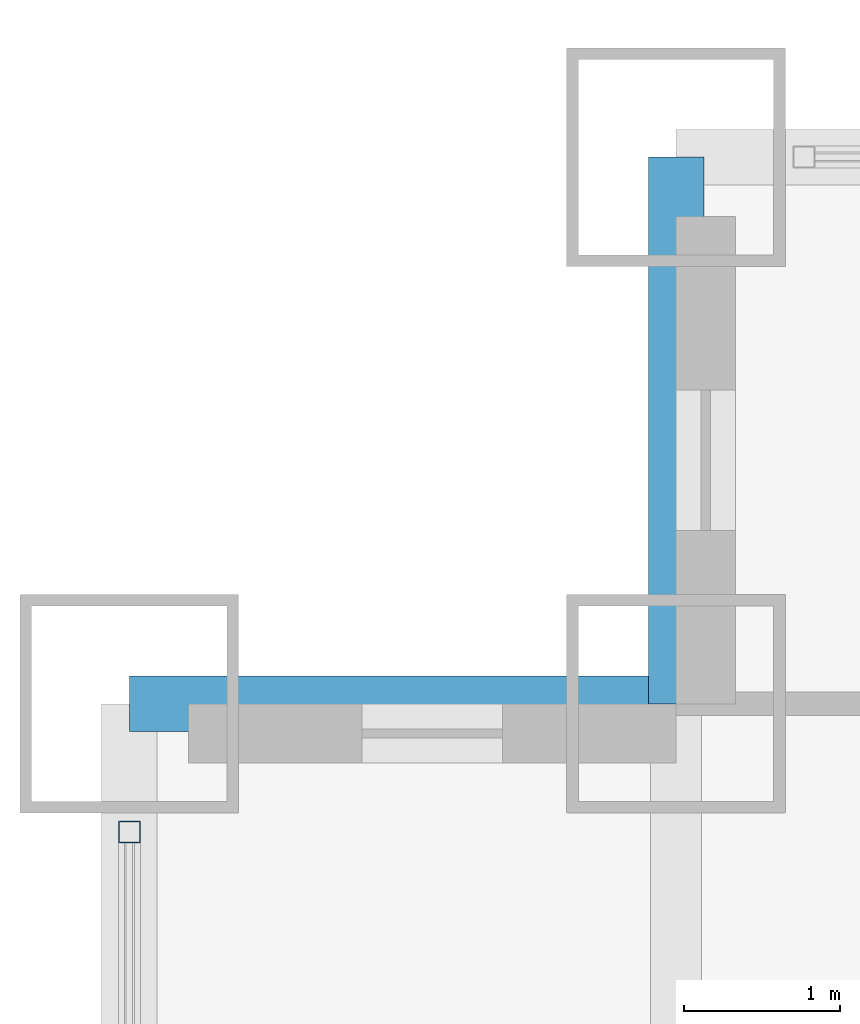
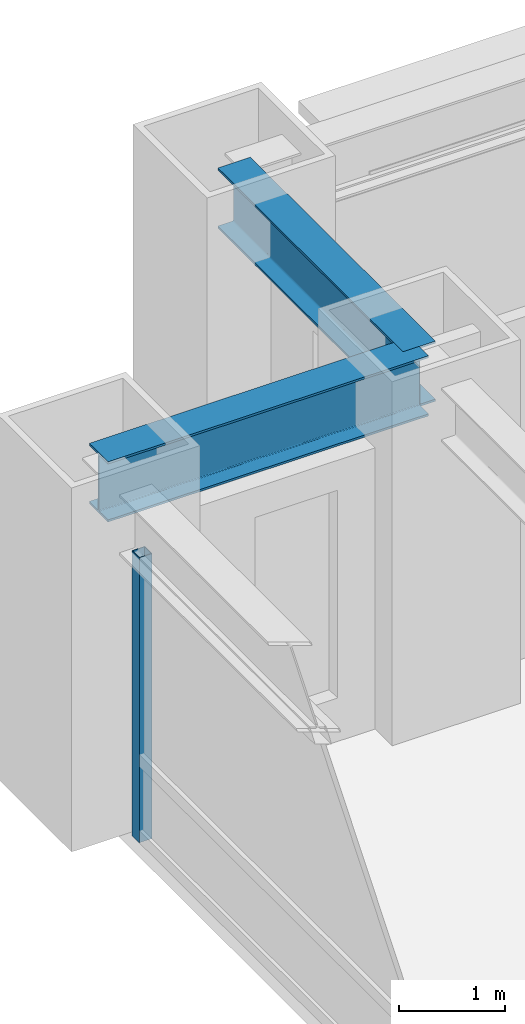
# One storey, part 14 of 31: 2 beams, 1 member, 1 element without a shape of its own.
"""IFC4 building model written with IfcOpenShell, lengths in metres."""

from ifc_helpers import new_model, si_unit, direction, frame, origin, origin_2d, place, context, subcontext, project, spatial, hollow_rectangle, i_section, extrude, source, transform, mapped, material, material_profile, profile_set, type_object, element, aggregate, save


model = new_model("IFC4")

# Units and contexts
model_context = context("Model", 3, precision=1e-05, world=origin(), true_north=direction((0.0, 1.0)))
body_context = subcontext(model_context, "Body", "Model", "MODEL_VIEW")
ifc_project = project(units=[si_unit("LENGTHUNIT", "METRE"), si_unit("AREAUNIT", "SQUARE_METRE"), si_unit("VOLUMEUNIT", "CUBIC_METRE"), si_unit("PLANEANGLEUNIT", "RADIAN"), si_unit("MASSUNIT", "GRAM", prefix="KILO")], contexts=[model_context])

# Site, building, storey
site_placement = place(None, origin())
site = spatial("IfcSite", under=ifc_project, at=site_placement, CompositionType="ELEMENT")
building_placement = place(site_placement, origin())
building = spatial("IfcBuilding", under=site, at=building_placement, Name="Khorayat Bourse Tower", CompositionType="ELEMENT")
storey_placement = place(building_placement, frame((0.0, 0.0, 36.800048828125)))
storey = spatial("IfcBuildingStorey", under=building, at=storey_placement, Name="L07", CompositionType="ELEMENT", Elevation=36.800048828125)

# Beams
ifc_material_1 = material(Name="Steel ASTM A992 Grade 50", Category="steel")
ifc_material_profile_1 = material_profile(ifc_material_1, i_section(OverallWidth=0.35498046875, OverallDepth=0.695068359375, WebThickness=0.015380859375, FlangeThickness=0.02490234375, FilletRadius=0.01806640625, at=origin_2d()), Name="W690X217")
ifc_profile_set_1 = profile_set([ifc_material_profile_1], Name="Steel ASTM A992 Grade 50")
beam_type = type_object("IfcBeamType", Name="BM-SPAN-690", PredefinedType="SPANDREL", material=ifc_profile_set_1)
shared_shape_1 = source(origin(), body_context, "Body", "SweptSolid", [
    extrude(i_section(OverallWidth=0.35498046875, OverallDepth=0.695068359375, WebThickness=0.015380859375, FlangeThickness=0.02490234375, FilletRadius=0.01806640625, at=origin_2d()), origin(), (0.0, 0.0, 1.0), 3.5),
])
for number, where, z_axis, x_axis, name in (
    (1, (-28.5, 28.5, 3.592529296875), (0.0, 1.0, 0.0), (-1.0, 0.0, 0.0), "L07 BM-SPAN-690 BM-L07-SPN-052"),
    (2, (-32.0, 28.5, 3.592529296875), (1.0, 0.0, 0.0), (0.0, 1.0, 0.0), "L07 BM-SPAN-690 BM-L07-SPN-053"),
):
    element("IfcBeam", number, at=place(storey_placement, frame(where, z_axis=z_axis, x_axis=x_axis)), inside=storey, type_object=beam_type, Name=name, PredefinedType="SPANDREL", context=body_context, shape_type="MappedRepresentation", body=[
        mapped(shared_shape_1, transform((0.0, 0.0, 0.0), scale=1.0)),
    ])

# Curtain wall, member
ifc_material_2 = material(Name="Aluminium EN AW-6063 T6", Category="aluminium")
curtain_wall_type = type_object("IfcCurtainWallType", Name="CW-SYS-02", PredefinedType="NOTDEFINED", material=ifc_material_2)
curtain_wall_placement = place(storey_placement, origin())
curtain_wall = element("IfcCurtainWall", 3, at=curtain_wall_placement, inside=storey, type_object=curtain_wall_type, Name="L07 Curtain Wall CW-L07-W1", PredefinedType="NOTDEFINED")
ifc_material_profile_2 = material_profile(ifc_material_2, hollow_rectangle(XDim=0.139892578125, YDim=0.139892578125, WallThickness=0.006103515625, at=origin_2d()), Name="ALU 140x140x6")
ifc_profile_set_2 = profile_set([ifc_material_profile_2], Name="Aluminium EN AW-6063 T6")
member_type = type_object("IfcMemberType", Name="CWM-VERT-140", PredefinedType="MULLION", material=ifc_profile_set_2)
shared_shape_2 = source(origin(), body_context, "Body", "SweptSolid", [
    extrude(hollow_rectangle(XDim=0.139892578125, YDim=0.139892578125, WallThickness=0.006103515625, at=origin_2d()), origin(), (0.0, 0.0, 1.0), 3.2900390625),
])
member_placement = place(storey_placement, frame((-32.0, 27.679931640625, 0.0), z_axis=(0.0, 0.0, 1.0), x_axis=(-1.0, 0.0, 0.0)))
member = element("IfcMember", 4, at=member_placement, type_object=member_type, Name="CW-L07-W1 Vertical Mullion 4", PredefinedType="MULLION", context=body_context, shape_type="MappedRepresentation", body=[
    mapped(shared_shape_2, transform((0.0, 0.0, 0.0), scale=1.0)),
])
aggregate(curtain_wall, [member])

save(model, "model.ifc")
